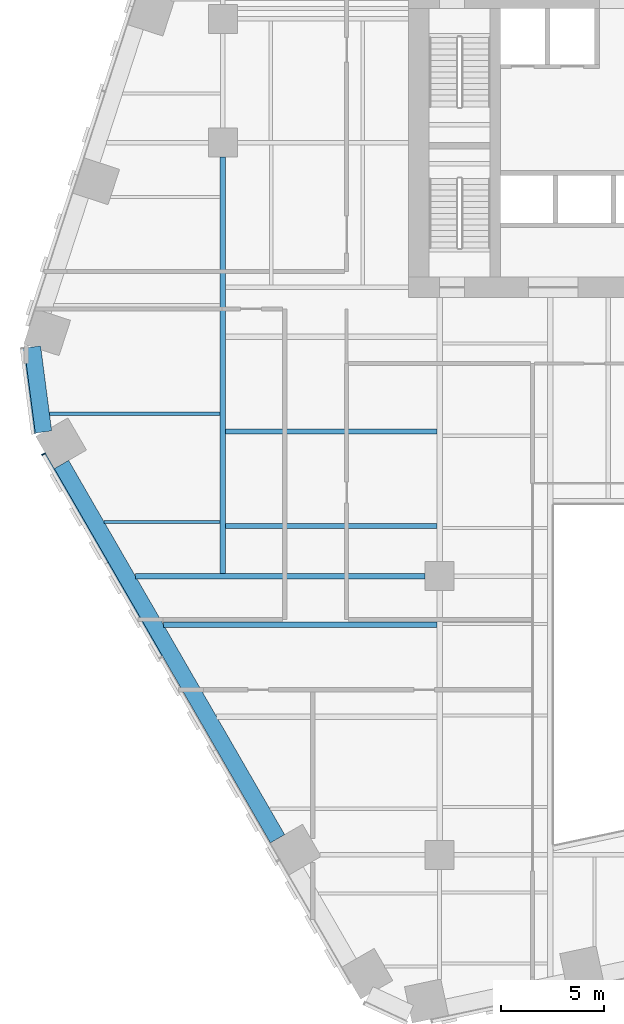
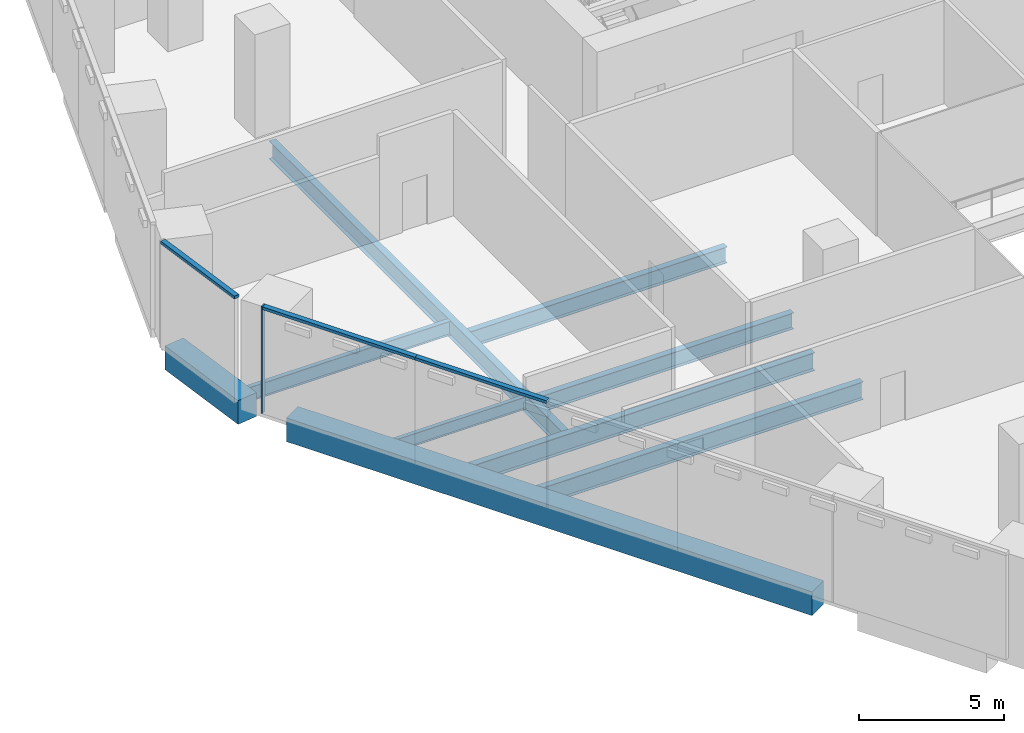
# One storey, part 3 of 19: 9 beams, 4 members, 2 elements without a shape of their own.
"""IFC4 building model written with IfcOpenShell, lengths in metres."""

import ifcopenshell
import ifcopenshell.guid

model = None  # the IFC model being written
_history = None  # IfcOwnerHistory: only IFC2X3 demands one
_inside = {}  # id of a spatial element -> (the spatial element, [elements in it])
_under = {}  # id of a project, library or spatial element -> (it, [spatial elements below it])
_declared = {}  # id of a project -> (the project, [libraries it declares])
_typed = {}  # id of a type object -> (the type object, [elements of that type])
_made_of = {}  # id of a material, layer set ... -> (it, [elements and type objects made of it])


def new_model(schema):
    """Start an empty IFC model of exactly this schema.

    Asked for "IFC4X3", IfcOpenShell would pick the latest addendum, in which some entities
    have other attributes; the version numbers below select the first issue.
    IFC2X3 requires an IfcOwnerHistory on every rooted entity: one is made here for all.
    """
    global model, _history
    if schema == "IFC4X3":
        model = ifcopenshell.file(schema_version=(4, 3, 0, 0))
    else:
        model = ifcopenshell.file(schema=schema)
    _inside.clear()
    _under.clear()
    _declared.clear()
    _typed.clear()
    _made_of.clear()
    _history = None
    if model.schema == "IFC2X3":
        org = make("IfcOrganization", Name="unknown")
        user = make(
            "IfcPersonAndOrganization",
            ThePerson=make("IfcPerson", FamilyName="unknown"),
            TheOrganization=org,
        )
        app = make(
            "IfcApplication",
            ApplicationDeveloper=org,
            Version="unknown",
            ApplicationFullName="unknown",
            ApplicationIdentifier="unknown",
        )
        _history = make(
            "IfcOwnerHistory",
            OwningUser=user,
            OwningApplication=app,
            ChangeAction="ADDED",
            CreationDate=0,
        )
    return model


def make(cls, **values):
    """One entity of the class cls with the attributes given. An attribute that is None is left unset."""
    return model.create_entity(
        cls, **{name: value for name, value in values.items() if value is not None}
    )


def rooted(cls, **values):
    """An entity with a GlobalId (a new one), such as an element, a storey or a relation."""
    return make(cls, GlobalId=ifcopenshell.guid.new(), OwnerHistory=_history, **values)


def si_unit(unit_type, name, prefix=None):
    """IfcSIUnit, for example si_unit("LENGTHUNIT", "METRE", prefix="MILLI")."""
    return make("IfcSIUnit", UnitType=unit_type, Prefix=prefix, Name=name)


def assignment(units):
    """IfcUnitAssignment: the units of a project."""
    return None if units is None else make("IfcUnitAssignment", Units=units)


def point(xyz):
    """IfcCartesianPoint."""
    return None if xyz is None else make("IfcCartesianPoint", Coordinates=xyz)


def direction(xyz):
    """IfcDirection."""
    return None if xyz is None else make("IfcDirection", DirectionRatios=xyz)


def frame(location, z_axis=None, x_axis=None):
    """IfcAxis2Placement3D, a coordinate frame: its origin and axes. An axis left out is left unset."""
    return make(
        "IfcAxis2Placement3D",
        Location=point(location),
        Axis=direction(z_axis),
        RefDirection=direction(x_axis),
    )


def frame_2d(location, x_axis=None):
    """IfcAxis2Placement2D, a coordinate frame in the plane: its origin and x axis."""
    return make(
        "IfcAxis2Placement2D", Location=point(location), RefDirection=direction(x_axis)
    )


def origin():
    """The frame at (0, 0, 0) with its axes left unset."""
    return frame((0.0, 0.0, 0.0))


def origin_2d():
    """The frame at (0, 0) in the plane with its x axis left unset."""
    return frame_2d((0.0, 0.0))


def place(relative_to, where):
    """IfcLocalPlacement: puts the frame where relative to a parent placement (None: the world)."""
    return make(
        "IfcLocalPlacement", PlacementRelTo=relative_to, RelativePlacement=where
    )


def context(
    kind, dimensions, precision=None, world=None, true_north=None, identifier=None
):
    """IfcGeometricRepresentationContext, for example the 3D "Model" context."""
    return make(
        "IfcGeometricRepresentationContext",
        ContextIdentifier=identifier,
        ContextType=kind,
        CoordinateSpaceDimension=dimensions,
        Precision=precision,
        WorldCoordinateSystem=world,
        TrueNorth=true_north,
    )


def subcontext(parent, identifier, kind, view, scale=None):
    """IfcGeometricRepresentationSubContext, for example "Body" below "Model"."""
    return make(
        "IfcGeometricRepresentationSubContext",
        ContextIdentifier=identifier,
        ContextType=kind,
        ParentContext=parent,
        TargetScale=scale,
        TargetView=view,
    )


def project(units=None, contexts=None):
    """IfcProject with its units and contexts."""
    return rooted(
        "IfcProject",
        Name="project",
        RepresentationContexts=contexts,
        UnitsInContext=assignment(units),
    )


def spatial(cls, under=None, at=None, **own):
    """A site, building, storey or space (cls), placed at a placement, below another one or the project."""
    s = rooted(cls, ObjectPlacement=at, **own)
    if under is not None:
        _under.setdefault(under.id(), (under, []))[1].append(s)
    return s


def profile(cls, at=None, kind="AREA", **sizes):
    """A parametric profile (cls). Its sizes go by their IFC names, for example OverallWidth=200.0."""
    return make(cls, ProfileType=kind, Position=at, **sizes)


def rectangle(**sizes):
    """IfcRectangleProfileDef."""
    return profile("IfcRectangleProfileDef", **sizes)


def i_section(**sizes):
    """IfcIShapeProfileDef."""
    return profile("IfcIShapeProfileDef", **sizes)


def extrude(swept, where, along, depth):
    """IfcExtrudedAreaSolid: the profile swept, set in the frame where, extruded along a direction by depth."""
    return make(
        "IfcExtrudedAreaSolid",
        SweptArea=swept,
        Position=where,
        ExtrudedDirection=direction(along),
        Depth=depth,
    )


def shape(context_of_items, identifier, shape_type, items):
    """IfcShapeRepresentation: the items that make up one representation, for example the "Body"."""
    return make(
        "IfcShapeRepresentation",
        ContextOfItems=context_of_items,
        RepresentationIdentifier=identifier,
        RepresentationType=shape_type,
        Items=items,
    )


def material(Name=None, Category=None):
    """IfcMaterial."""
    return make("IfcMaterial", Name=Name, Category=Category)


def layer(
    of_material, thickness, ventilated=None, Name=None, Category=None, Priority=None
):
    """IfcMaterialLayer: one layer of a wall or slab, of a material (None: an air gap)."""
    return make(
        "IfcMaterialLayer",
        Material=of_material,
        LayerThickness=thickness,
        IsVentilated=ventilated,
        Name=Name,
        Category=Category,
        Priority=Priority,
    )


def layer_set(layers, Name=None):
    """IfcMaterialLayerSet."""
    return make("IfcMaterialLayerSet", MaterialLayers=layers, LayerSetName=Name)


def material_profile(
    of_material, cross_section, Name=None, Category=None, Priority=None
):
    """IfcMaterialProfile: a cross section and its material."""
    return make(
        "IfcMaterialProfile",
        Name=Name,
        Material=of_material,
        Profile=cross_section,
        Priority=Priority,
        Category=Category,
    )


def profile_set(profiles, Name=None, composite=None):
    """IfcMaterialProfileSet."""
    return make(
        "IfcMaterialProfileSet",
        Name=Name,
        MaterialProfiles=profiles,
        CompositeProfile=composite,
    )


def made_of(thing, what):
    """Note that an element or type object is made of a material, layer set ...; save() writes the relation."""
    if what is not None:
        _made_of.setdefault(what.id(), (what, []))[1].append(thing)
    return thing


def type_object(cls, material=None, **own):
    """A type object (cls), such as IfcWallType, which elements share."""
    return made_of(rooted(cls, **own), material)


def element(
    cls,
    number,
    at=None,
    inside=None,
    cuts=None,
    type_object=None,
    material=None,
    context=None,
    identifier="Body",
    shape_type=None,
    held_by="IfcProductDefinitionShape",
    body=None,
    shapes=None,
    **own,
):
    """One element of the class cls, such as IfcWall. Its Tag is "e" and its number.

    at: its placement. inside: the storey or other place that contains it. cuts: it is an
    opening in that element (IfcRelVoidsElement). A single representation is given by context,
    identifier, shape_type and body (its items); several are given by shapes. held_by: the class
    of the entity that holds the representations. save() writes the other relations.
    """
    e = rooted(cls, Tag="e%d" % number, ObjectPlacement=at, **own)
    if body is not None:
        shapes = [shape(context, identifier, shape_type, body)]
    if shapes is not None:
        e.Representation = make(held_by, Representations=shapes)
    if inside is not None:
        _inside.setdefault(inside.id(), (inside, []))[1].append(e)
    if cuts is not None:
        rooted(
            "IfcRelVoidsElement", RelatingBuildingElement=cuts, RelatedOpeningElement=e
        )
    if type_object is not None:
        _typed.setdefault(type_object.id(), (type_object, []))[1].append(e)
    return made_of(e, material)


def aggregate(whole, parts):
    """IfcRelAggregates: a whole, such as a stair, and the parts it consists of."""
    return rooted("IfcRelAggregates", RelatingObject=whole, RelatedObjects=parts)


def save(model, path):
    """Write the relations noted so far, then the file.

    IfcRelAggregates (storeys below a building ...), IfcRelContainedInSpatialStructure (elements
    in a storey), IfcRelDefinesByType, IfcRelAssociatesMaterial and IfcRelDeclares: one each for
    every whole, place, type object, material and project.
    """
    for whole, parts in _under.values():
        aggregate(whole, parts)
    for where, things in _inside.values():
        rooted(
            "IfcRelContainedInSpatialStructure",
            RelatedElements=things,
            RelatingStructure=where,
        )
    for kind, things in _typed.values():
        rooted("IfcRelDefinesByType", RelatedObjects=things, RelatingType=kind)
    for what, things in _made_of.values():
        rooted("IfcRelAssociatesMaterial", RelatedObjects=things, RelatingMaterial=what)
    for by, libraries in _declared.values():
        rooted("IfcRelDeclares", RelatingContext=by, RelatedDefinitions=libraries)
    model.write(path)


model = new_model("IFC4")

# Units and contexts
model_context = context("Model", 3, precision=1e-05, world=origin(), true_north=direction((0.0, 1.0)))
body_context = subcontext(model_context, "Body", "Model", "MODEL_VIEW")
ifc_project = project(units=[si_unit("LENGTHUNIT", "METRE"), si_unit("AREAUNIT", "SQUARE_METRE"), si_unit("VOLUMEUNIT", "CUBIC_METRE"), si_unit("PLANEANGLEUNIT", "RADIAN"), si_unit("MASSUNIT", "GRAM", prefix="KILO")], contexts=[model_context])

# Site, building, storey
site_placement = place(None, origin())
site = spatial("IfcSite", under=ifc_project, at=site_placement, CompositionType="ELEMENT")
building_placement = place(site_placement, origin())
building = spatial("IfcBuilding", under=site, at=building_placement, Name="Isthmus Gate Tower", CompositionType="ELEMENT")
storey_placement = place(building_placement, frame((0.0, 0.0, 76.14990234375)))
storey = spatial("IfcBuildingStorey", under=building, at=storey_placement, Name="L17", CompositionType="ELEMENT", Elevation=76.14990234375)

# Curtain wall, member
ifc_material_1 = material(Name="Aluminium, pale champagne anodised", Category="aluminium")
ifc_layer = layer(ifc_material_1, 0.199951171875)
ifc_layer_set = layer_set([ifc_layer], Name="CW-2 LOUVRE CURTAIN WALL 200 DEEP")
curtain_wall_type = type_object("IfcCurtainWallType", Name="CW-2 LOUVRE CURTAIN WALL 200 DEEP", PredefinedType="NOTDEFINED", material=ifc_layer_set)
curtain_wall_1_placement = place(storey_placement, origin())
curtain_wall_1 = element("IfcCurtainWall", 1, at=curtain_wall_1_placement, inside=storey, type_object=curtain_wall_type, Name="CW-2 SW L17", PredefinedType="NOTDEFINED")
ifc_material_2 = material(Name="Aluminium, pale champagne anodised", Category="aluminium")
ifc_material_profile_1 = material_profile(ifc_material_2, rectangle(XDim=0.06005859375, YDim=0.199951171875, at=origin_2d()), Name="60x200")
ifc_profile_set_1 = profile_set([ifc_material_profile_1], Name="Aluminium, pale champagne anodised")
member_type_1 = type_object("IfcMemberType", Name="CW-2 MULLION 60 X 200", PredefinedType="MULLION", material=ifc_profile_set_1)
member_1_placement = place(storey_placement, frame((-32.685302734375, -7.58740234375, 0.0), z_axis=(0.0, 0.0, 1.0), x_axis=(0.5, -0.866025403784, 0.0)))
member_1 = element("IfcMember", 2, at=member_1_placement, type_object=member_type_1, Name="CW-2 mullion", PredefinedType="MULLION", context=body_context, shape_type="SweptSolid", body=[
    extrude(rectangle(XDim=0.06005859375, YDim=0.199951171875, at=origin_2d()), origin(), (0.0, 0.0, 1.0), 4.5),
])

curtain_wall_2_placement = place(storey_placement, origin())
curtain_wall_2 = element("IfcCurtainWall", 3, at=curtain_wall_2_placement, inside=storey, type_object=curtain_wall_type, Name="CW-2 NW-SW L17", PredefinedType="NOTDEFINED")
ifc_material_3 = material(Name="Aluminium, pale champagne anodised", Category="aluminium")
ifc_material_profile_2 = material_profile(ifc_material_3, rectangle(XDim=0.199951171875, YDim=0.1201171875, at=origin_2d()), Name="200x120")
ifc_profile_set_2 = profile_set([ifc_material_profile_2], Name="Aluminium, pale champagne anodised")
member_type_2 = type_object("IfcMemberType", Name="CW-2 TRANSOM 200 X 120", PredefinedType="USERDEFINED", material=ifc_profile_set_2)
member_2_placement = place(storey_placement, frame((-33.71923828125, -2.474609375, 4.440185546875), z_axis=(0.129206893318, -0.991617657527, 0.0), x_axis=(0.991617657527, 0.129206893318, 0.0)))
member_2 = element("IfcMember", 4, at=member_2_placement, type_object=member_type_2, Name="CW-2 transom", ObjectType="TRANSOM", PredefinedType="USERDEFINED", context=body_context, shape_type="SweptSolid", body=[
    extrude(rectangle(XDim=0.199951171875, YDim=0.1201171875, at=origin_2d()), origin(), (0.0, 0.0, 1.0), 4.181640625),
])
aggregate(curtain_wall_2, [member_2])

# Member
member_3_placement = place(storey_placement, frame((-32.67041015625, -7.61328125, 4.440185546875), z_axis=(0.49999965181, -0.866025604812, 0.0), x_axis=(0.866025604812, 0.49999965181, 0.0)))
member_3 = element("IfcMember", 5, at=member_3_placement, type_object=member_type_2, Name="CW-2 transom", ObjectType="TRANSOM", PredefinedType="USERDEFINED", context=body_context, shape_type="SweptSolid", body=[
    extrude(rectangle(XDim=0.199951171875, YDim=0.1201171875, at=origin_2d()), origin(), (0.0, 0.0, 1.0), 6.07373046875),
])

member_4_placement = place(storey_placement, frame((-29.633544921875, -12.873291015625, 4.440185546875), z_axis=(0.500017221754, -0.866015460572, 0.0), x_axis=(0.866015460572, 0.500017221754, 0.0)))
member_4 = element("IfcMember", 6, at=member_4_placement, type_object=member_type_2, Name="CW-2 transom", ObjectType="TRANSOM", PredefinedType="USERDEFINED", context=body_context, shape_type="SweptSolid", body=[
    extrude(rectangle(XDim=0.199951171875, YDim=0.1201171875, at=origin_2d()), origin(), (0.0, 0.0, 1.0), 5.233642578125),
])

aggregate(curtain_wall_1, [member_1, member_3, member_4])

# Beams
ifc_material_4 = material(Name="Concrete f'c 70 MPa", Category="concrete")
ifc_material_profile_3 = material_profile(ifc_material_4, rectangle(XDim=0.800048828125, YDim=1.0, at=origin_2d()), Name="RC 800X1000")
ifc_profile_set_3 = profile_set([ifc_material_profile_3], Name="Concrete f'c 70 MPa")
beam_type_1 = type_object("IfcBeamType", Name="RC SPANDREL 800 X 1000", PredefinedType="SPANDREL", material=ifc_profile_set_3)
beam_1_placement = place(storey_placement, frame((-21.35009765625, -26.220458984375, -0.5), z_axis=(-0.500004778811, 0.866022644719, 0.0), x_axis=(-0.866022644719, -0.500004778811, 0.0)))
element("IfcBeam", 7, at=beam_1_placement, inside=storey, type_object=beam_type_1, Name="str-spandrel-L17-16", PredefinedType="SPANDREL", context=body_context, shape_type="SweptSolid", body=[
    extrude(rectangle(XDim=0.800048828125, YDim=1.0, at=origin_2d()), origin(), (0.0, 0.0, 1.0), 20.934326171875),
])
beam_2_placement = place(storey_placement, frame((-32.6884765625, -6.515380859375, -0.5), z_axis=(-0.129170777359, 0.991622362735, 0.0), x_axis=(-0.991622362735, -0.129170777359, 0.0)))
element("IfcBeam", 8, at=beam_2_placement, inside=storey, type_object=beam_type_1, Name="str-spandrel-L17-17", PredefinedType="SPANDREL", context=body_context, shape_type="SweptSolid", body=[
    extrude(rectangle(XDim=0.800048828125, YDim=1.0, at=origin_2d()), origin(), (0.0, 0.0, 1.0), 4.15234375),
])
ifc_material_5 = material(Name="Structural steel ASTM A992 Gr 50", Category="steel")
ifc_material_profile_4 = material_profile(ifc_material_5, i_section(OverallWidth=0.1650390625, OverallDepth=0.52392578125, WebThickness=0.009521484375, FlangeThickness=0.010986328125, at=origin_2d()), Name="W21X44")
ifc_profile_set_4 = profile_set([ifc_material_profile_4], Name="Structural steel ASTM A992 Gr 50")
beam_type_2 = type_object("IfcBeamType", Name="STEEL FLOOR BEAM W21X44", PredefinedType="JOIST", material=ifc_profile_set_4)
beam_3_placement = place(storey_placement, frame((-29.748046875, -10.875, -0.561767578125), z_axis=(1.0, 0.0, 0.0), x_axis=(0.0, 1.0, 0.0)))
element("IfcBeam", 9, at=beam_3_placement, inside=storey, type_object=beam_type_2, Name="str-beam-L17-00-00", PredefinedType="JOIST", context=body_context, shape_type="SweptSolid", body=[
    extrude(i_section(OverallWidth=0.1650390625, OverallDepth=0.52392578125, WebThickness=0.009521484375, FlangeThickness=0.010986328125, at=origin_2d()), origin(), (0.0, 0.0, 1.0), 5.61474609375),
])
ifc_material_6 = material(Name="Structural steel ASTM A992 Gr 50", Category="steel")
ifc_material_profile_5 = material_profile(ifc_material_6, i_section(OverallWidth=0.177734375, OverallDepth=0.60009765625, WebThickness=0.009521484375, FlangeThickness=0.0126953125, at=origin_2d()), Name="W24X55")
ifc_profile_set_5 = profile_set([ifc_material_profile_5], Name="Structural steel ASTM A992 Gr 50")
beam_type_3 = type_object("IfcBeamType", Name="STEEL FLOOR BEAM W24X55", PredefinedType="JOIST", material=ifc_profile_set_5)
beam_4_placement = place(storey_placement, frame((-32.401123046875, -5.625, -0.599853515625), z_axis=(1.0, 0.0, 0.0), x_axis=(0.0, 1.0, 0.0)))
element("IfcBeam", 10, at=beam_4_placement, inside=storey, type_object=beam_type_3, Name="str-beam-L17-00-01", PredefinedType="JOIST", context=body_context, shape_type="SweptSolid", body=[
    extrude(i_section(OverallWidth=0.177734375, OverallDepth=0.60009765625, WebThickness=0.009521484375, FlangeThickness=0.0126953125, at=origin_2d()), origin(), (0.0, 0.0, 1.0), 8.267822265625),
])
ifc_material_7 = material(Name="Structural steel ASTM A992 Gr 50", Category="steel")
ifc_material_profile_6 = material_profile(ifc_material_7, i_section(OverallWidth=0.25390625, OverallDepth=0.679443359375, WebThickness=0.010986328125, FlangeThickness=0.015869140625, at=origin_2d()), Name="W27X84")
ifc_profile_set_6 = profile_set([ifc_material_profile_6], Name="Structural steel ASTM A992 Gr 50")
beam_type_4 = type_object("IfcBeamType", Name="STEEL FLOOR BEAM W27X84", PredefinedType="JOIST", material=ifc_profile_set_6)
for number, where, z_axis, x_axis, name in (
    (11, (-23.86669921875, -11.07470703125, -0.6396484375), (1.0, 0.0, 0.0), (0.0, 1.0, 0.0), "str-beam-L17-07-00"),
    (12, (-23.86669921875, -6.490478515625, -0.6396484375), (1.0, 0.0, 0.0), (0.0, 1.0, 0.0), "str-beam-L17-07-01"),
):
    element("IfcBeam", number, at=place(storey_placement, frame(where, z_axis=z_axis, x_axis=x_axis)), inside=storey, type_object=beam_type_4, Name=name, PredefinedType="JOIST", context=body_context, shape_type="SweptSolid", body=[
        extrude(i_section(OverallWidth=0.25390625, OverallDepth=0.679443359375, WebThickness=0.010986328125, FlangeThickness=0.015869140625, at=origin_2d()), origin(), (0.0, 0.0, 1.0), 10.23486328125),
    ])
ifc_material_8 = material(Name="Structural steel ASTM A992 Gr 50", Category="steel")
ifc_material_profile_7 = material_profile(ifc_material_8, i_section(OverallWidth=0.263427734375, OverallDepth=0.749267578125, WebThickness=0.0126953125, FlangeThickness=0.015869140625, at=origin_2d()), Name="W30X90")
ifc_profile_set_7 = profile_set([ifc_material_profile_7], Name="Structural steel ASTM A992 Gr 50")
beam_type_5 = type_object("IfcBeamType", Name="STEEL FLOOR BEAM W30X90", PredefinedType="JOIST", material=ifc_profile_set_7)
beam_5_placement = place(storey_placement, frame((-26.869140625, -15.861083984375, -0.674560546875), z_axis=(1.0, 0.0, 0.0), x_axis=(0.0, 1.0, 0.0)))
element("IfcBeam", 13, at=beam_5_placement, inside=storey, type_object=beam_type_5, Name="str-beam-L17-05-02", PredefinedType="JOIST", context=body_context, shape_type="SweptSolid", body=[
    extrude(i_section(OverallWidth=0.263427734375, OverallDepth=0.749267578125, WebThickness=0.0126953125, FlangeThickness=0.015869140625, at=origin_2d()), origin(), (0.0, 0.0, 1.0), 13.2373046875),
])
ifc_material_9 = material(Name="Structural steel ASTM A992 Gr 50", Category="steel")
ifc_material_profile_8 = material_profile(ifc_material_9, i_section(OverallWidth=0.2666015625, OverallDepth=0.7587890625, WebThickness=0.014404296875, FlangeThickness=0.01904296875, at=origin_2d()), Name="W30X108")
ifc_profile_set_8 = profile_set([ifc_material_profile_8], Name="Structural steel ASTM A992 Gr 50")
beam_type_6 = type_object("IfcBeamType", Name="STEEL GIRDER W30X108", PredefinedType="BEAM", material=ifc_profile_set_8)
beam_6_placement = place(storey_placement, frame((-28.232421875, -13.5, -0.67919921875), z_axis=(1.0, 0.0, 0.0), x_axis=(0.0, 1.0, 0.0)))
element("IfcBeam", 14, at=beam_6_placement, inside=storey, type_object=beam_type_6, Name="str-girder-L17-05", PredefinedType="BEAM", context=body_context, shape_type="SweptSolid", body=[
    extrude(i_section(OverallWidth=0.2666015625, OverallDepth=0.7587890625, WebThickness=0.014404296875, FlangeThickness=0.01904296875, at=origin_2d()), origin(), (0.0, 0.0, 1.0), 14.032470703125),
])
beam_7_placement = place(storey_placement, frame((-24.0, -13.36669921875, -0.67919921875), z_axis=(0.0, 1.0, 0.0), x_axis=(-1.0, 0.0, 0.0)))
element("IfcBeam", 15, at=beam_7_placement, inside=storey, type_object=beam_type_6, Name="str-girder-L17-20", PredefinedType="BEAM", context=body_context, shape_type="SweptSolid", body=[
    extrude(i_section(OverallWidth=0.2666015625, OverallDepth=0.7587890625, WebThickness=0.014404296875, FlangeThickness=0.01904296875, at=origin_2d()), origin(), (0.0, 0.0, 1.0), 20.166748046875),
])

save(model, "model.ifc")
